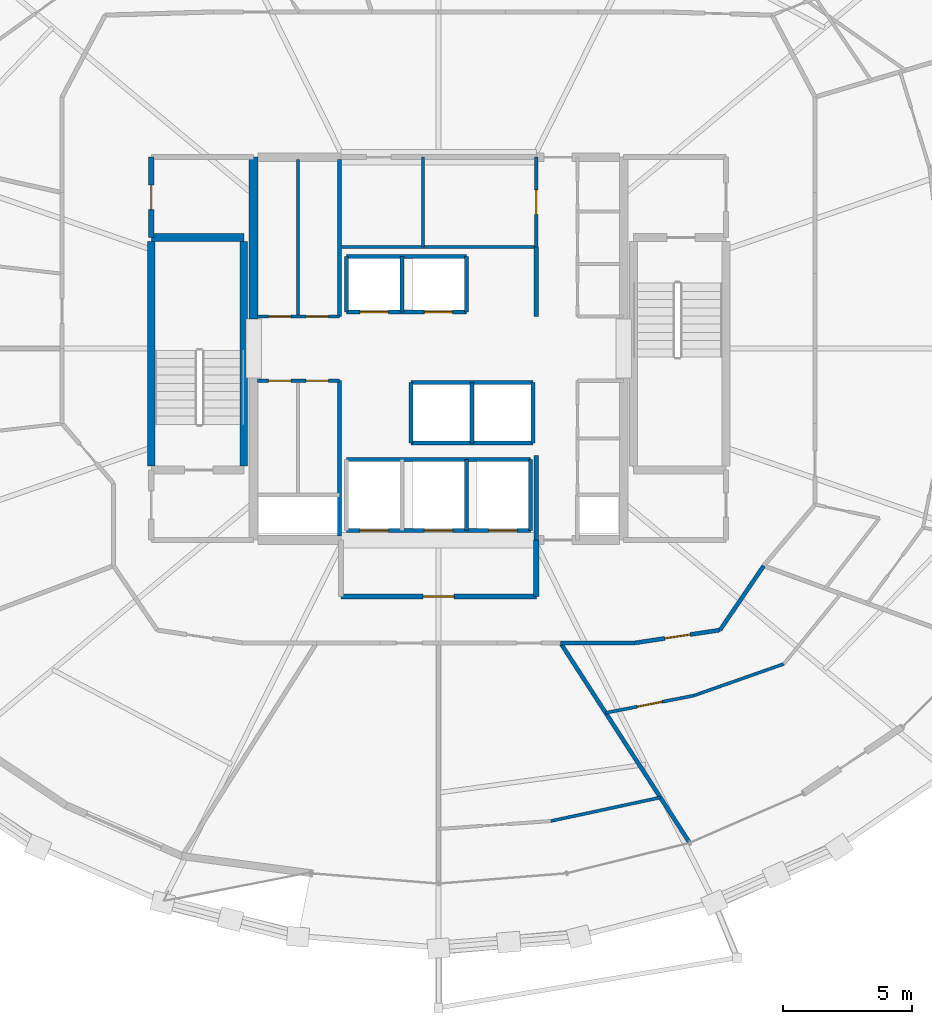
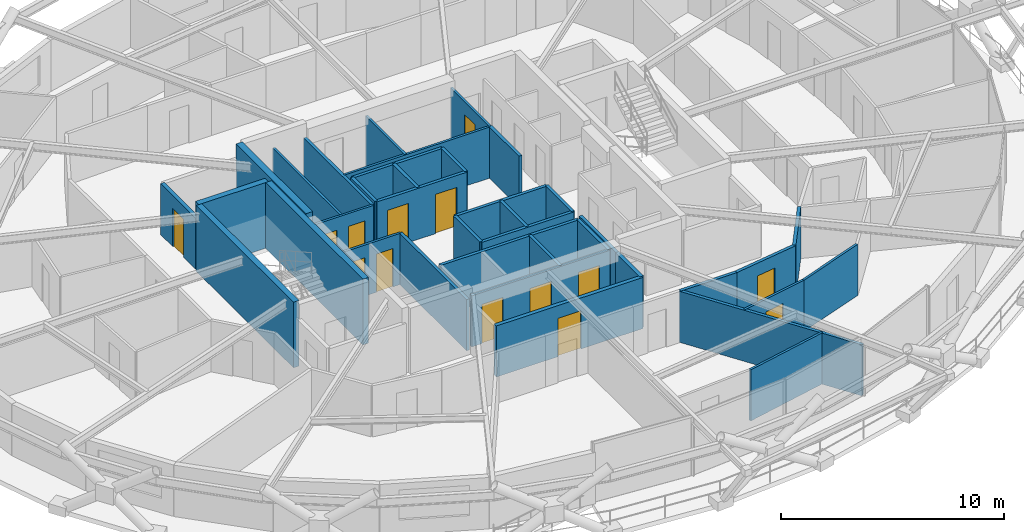
# One storey, part 15 of 20: 38 walls, 14 doors, 14 openings.
"""IFC4 building model written with IfcOpenShell, lengths in metres."""

from ifc_helpers import new_model, si_unit, direction, frame, frame_2d, origin, place, context, subcontext, project, spatial, rectangle, extrude, material, layer, layer_set, type_object, element, fill, save


model = new_model("IFC4")

# Units and contexts
model_context = context("Model", 3, precision=1e-05, world=origin(), true_north=direction((0.0, 1.0)))
body_context = subcontext(model_context, "Body", "Model", "MODEL_VIEW")
ifc_project = project(units=[si_unit("LENGTHUNIT", "METRE"), si_unit("AREAUNIT", "SQUARE_METRE"), si_unit("VOLUMEUNIT", "CUBIC_METRE"), si_unit("PLANEANGLEUNIT", "RADIAN"), si_unit("MASSUNIT", "GRAM", prefix="KILO")], contexts=[model_context])

# Site, building, storey
site_placement = place(None, origin())
site = spatial("IfcSite", under=ifc_project, at=site_placement, CompositionType="ELEMENT")
building_placement = place(site_placement, origin())
building = spatial("IfcBuilding", under=site, at=building_placement, Name="Veldorina Hangang Commons", CompositionType="ELEMENT")
storey_placement = place(building_placement, frame((0.0, 0.0, 171.199951171875)))
storey = spatial("IfcBuildingStorey", under=building, at=storey_placement, Name="L44", CompositionType="ELEMENT", Elevation=171.199951171875)

# Walls
ifc_material_1 = material(Name="Concrete C60/75", Category="concrete")
ifc_layer_1 = layer(ifc_material_1, 0.340087890625)
ifc_layer_set_1 = layer_set([ifc_layer_1], Name="Concrete C60/75")
wall_type_1 = type_object("IfcWallType", Name="CW-RC340-C60", PredefinedType="SHEAR", material=ifc_layer_set_1)
wall_1_placement = place(storey_placement, frame((24.800048828125, 25.14990234375, 0.0), z_axis=(0.0, 0.0, 1.0), x_axis=(0.0, 1.0, 0.0)))
element("IfcWall", 1, at=wall_1_placement, inside=storey, type_object=wall_type_1, Name="L44 W north core shear wall", PredefinedType="SHEAR", context=body_context, shape_type="SweptSolid", body=[
    extrude(rectangle(XDim=6.300048828125, YDim=0.340087890625, at=frame_2d((3.14990234375, 0.0))), origin(), (0.0, 0.0, 1.0), 3.60009765625),
])
ifc_material_2 = material(Name="Concrete C50/60", Category="concrete")
ifc_layer_2 = layer(ifc_material_2, 0.300048828125)
ifc_layer_set_2 = layer_set([ifc_layer_2], Name="Concrete C50/60")
wall_type_2 = type_object("IfcWallType", Name="SW-STAIR-300", PredefinedType="SHEAR", material=ifc_layer_set_2)
for number, where, z_axis, x_axis, name in (
    (2, (20.820068359375, 19.429931640625, 0.0), (0.0, 0.0, 1.0), (0.0, 1.0, 0.0), "L44 ST1 outer stair shear wall"),
    (3, (24.419921875, 19.429931640625, 0.0), (0.0, 0.0, 1.0), (0.0, 1.0, 0.0), "L44 ST1 inner stair shear wall"),
):
    element("IfcWall", number, at=place(storey_placement, frame(where, z_axis=z_axis, x_axis=x_axis)), inside=storey, type_object=wall_type_2, Name=name, PredefinedType="SHEAR", context=body_context, shape_type="SweptSolid", body=[
        extrude(rectangle(XDim=8.739990234375, YDim=0.300048828125, at=frame_2d((4.3701171875, 0.0))), origin(), (0.0, 0.0, 1.0), 3.60009765625),
    ])
wall_2_placement = place(storey_placement, frame((20.820068359375, 28.320068359375, 0.0), z_axis=(0.0, 0.0, 1.0), x_axis=(1.0, 0.0, 0.0)))
element("IfcWall", 4, at=wall_2_placement, inside=storey, type_object=wall_type_2, Name="L44 ST1 north stair shear wall", PredefinedType="SHEAR", context=body_context, shape_type="SweptSolid", body=[
    extrude(rectangle(XDim=3.599853515625, YDim=0.300048828125, at=frame_2d((1.7998046875, 0.0))), origin(), (0.0, 0.0, 1.0), 3.60009765625),
])
ifc_material_3 = material(Name="Gypsum Fire-Rated Twin Stud Wall", Category="gypsum")
ifc_layer_3 = layer(ifc_material_3, 0.159912109375)
ifc_layer_set_3 = layer_set([ifc_layer_3], Name="Gypsum Fire-Rated Twin Stud Wall")
wall_type_3 = type_object("IfcWallType", Name="WL-FIRE-160", PredefinedType="SOLIDWALL", material=ifc_layer_set_3)
wall_3_placement = place(storey_placement, frame((35.800048828125, 16.550048828125, 0.0), z_axis=(0.0, 0.0, 1.0), x_axis=(0.0, 1.0, 0.0)))
element("IfcWall", 5, at=wall_3_placement, inside=storey, type_object=wall_type_3, Name="L44 Lift passage SW wall 009", PredefinedType="SOLIDWALL", context=body_context, shape_type="SweptSolid", body=[
    extrude(rectangle(XDim=3.300048828125, YDim=0.159912109375, at=frame_2d((1.64990234375, 0.0))), origin(), (0.0, 0.0, 1.0), 2.800048828125),
])
wall_4_placement = place(storey_placement, frame((35.800048828125, 25.25, 0.0), z_axis=(0.0, 0.0, 1.0), x_axis=(0.0, 1.0, 0.0)))
element("IfcWall", 6, at=wall_4_placement, inside=storey, type_object=wall_type_3, Name="L44 Lift passage NW lower wall 011", PredefinedType="SOLIDWALL", context=body_context, shape_type="SweptSolid", body=[
    extrude(rectangle(XDim=2.699951171875, YDim=0.159912109375, at=frame_2d((1.35009765625, 0.0))), origin(), (0.0, 0.0, 1.0), 2.800048828125),
])

# Wall, openings, doors
wall_5_placement = place(storey_placement, frame((28.419921875, 25.419921875, 0.0), z_axis=(0.0, 0.0, 1.0), x_axis=(1.0, 0.0, 0.0)))
wall_5 = element("IfcWall", 7, at=wall_5_placement, inside=storey, type_object=wall_type_3, Name="L44 Mid-high front shaft wall 015", PredefinedType="SOLIDWALL", context=body_context, shape_type="SweptSolid", body=[
    extrude(rectangle(XDim=4.66015625, YDim=0.159912109375, at=frame_2d((2.330078125, 0.0))), origin(), (0.0, 0.0, 1.0), 2.800048828125),
])
opening_1_placement = place(wall_5_placement, frame((0.530029296875, 0.0, 0.0)))
opening_1 = element("IfcOpeningElement", 8, at=opening_1_placement, cuts=wall_5, Name="Opening LD-01", PredefinedType="OPENING", context=body_context, shape_type="SweptSolid", body=[
    extrude(rectangle(XDim=1.10009765625, YDim=2.14990234375, at=frame_2d((0.550048828125, 1.074951171875))), frame((0.0, 0.08984375, 0.0), z_axis=(0.0, -1.0, 0.0), x_axis=(1.0, 0.0, 0.0)), (0.0, 0.0, 1.0), 0.179931640625),
])
opening_2_placement = place(wall_5_placement, frame((3.030029296875, 0.0, 0.0)))
opening_2 = element("IfcOpeningElement", 9, at=opening_2_placement, cuts=wall_5, Name="Opening LD-01", PredefinedType="OPENING", context=body_context, shape_type="SweptSolid", body=[
    extrude(rectangle(XDim=1.10009765625, YDim=2.14990234375, at=frame_2d((0.550048828125, 1.074951171875))), frame((0.0, 0.08984375, 0.0), z_axis=(0.0, -1.0, 0.0), x_axis=(1.0, 0.0, 0.0)), (0.0, 0.0, 1.0), 0.179931640625),
])
ifc_material_4 = material(Name="Stainless Steel Brushed Lift Door", Category="steel")
door_type_1 = type_object("IfcDoorType", Name="DR-LIFT-1100", OperationType="SLIDING_TO_LEFT", PredefinedType="DOOR", material=ifc_material_4)
door_1_placement = place(opening_1_placement, origin())
door_1 = element("IfcDoor", 10, at=door_1_placement, inside=storey, type_object=door_type_1, Name="L44 Lift PL-M1 landing door 006", OperationType="SLIDING_TO_RIGHT", OverallHeight=2.14990234375, OverallWidth=1.10009765625, PredefinedType="DOOR", context=body_context, shape_type="SweptSolid", body=[
    extrude(rectangle(XDim=1.10009765625, YDim=2.14990234375, at=frame_2d((0.550048828125, 1.074951171875))), frame((0.0, 0.02490234375, 0.0), z_axis=(0.0, -1.0, 0.0), x_axis=(1.0, 0.0, 0.0)), (0.0, 0.0, 1.0), 0.050048828125),
])
fill(opening_1, door_1)
door_2_placement = place(opening_2_placement, origin())
door_2 = element("IfcDoor", 11, at=door_2_placement, inside=storey, type_object=door_type_1, Name="L44 Lift PL-M2 landing door 007", OperationType="SLIDING_TO_RIGHT", OverallHeight=2.14990234375, OverallWidth=1.10009765625, PredefinedType="DOOR", context=body_context, shape_type="SweptSolid", body=[
    extrude(rectangle(XDim=1.10009765625, YDim=2.14990234375, at=frame_2d((0.550048828125, 1.074951171875))), frame((0.0, 0.02490234375, 0.0), z_axis=(0.0, -1.0, 0.0), x_axis=(1.0, 0.0, 0.0)), (0.0, 0.0, 1.0), 0.050048828125),
])
fill(opening_2, door_2)

# Walls
wall_6_placement = place(storey_placement, frame((28.419921875, 27.580078125, 0.0), z_axis=(0.0, 0.0, 1.0), x_axis=(1.0, 0.0, 0.0)))
element("IfcWall", 12, at=wall_6_placement, inside=storey, type_object=wall_type_3, Name="L44 Mid-high rear shaft wall 016", PredefinedType="SOLIDWALL", context=body_context, shape_type="SweptSolid", body=[
    extrude(rectangle(XDim=4.66015625, YDim=0.159912109375, at=frame_2d((2.330078125, 0.0))), origin(), (0.0, 0.0, 1.0), 2.800048828125),
])
for number, where, z_axis, x_axis, name in (
    (13, (28.419921875, 25.419921875, 0.0), (0.0, 0.0, 1.0), (0.0, 1.0, 0.0), "L44 PL-M1 west shaft wall 017"),
    (14, (30.580078125, 25.419921875, 0.0), (0.0, 0.0, 1.0), (0.0, 1.0, 0.0), "L44 PL-M1 east shaft wall 018"),
    (15, (33.080078125, 25.419921875, 0.0), (0.0, 0.0, 1.0), (0.0, 1.0, 0.0), "L44 PL-M2 east shaft wall 019"),
):
    element("IfcWall", number, at=place(storey_placement, frame(where, z_axis=z_axis, x_axis=x_axis)), inside=storey, type_object=wall_type_3, Name=name, PredefinedType="SOLIDWALL", context=body_context, shape_type="SweptSolid", body=[
        extrude(rectangle(XDim=2.16015625, YDim=0.159912109375, at=frame_2d((1.080078125, 0.0))), origin(), (0.0, 0.0, 1.0), 2.800048828125),
    ])
for number, where, z_axis, x_axis, name in (
    (16, (30.919921875, 22.679931640625, 0.0), (0.0, 0.0, 1.0), (1.0, 0.0, 0.0), "L44 Shuttle-high front shaft wall 020"),
    (17, (30.919921875, 20.320068359375, 0.0), (0.0, 0.0, 1.0), (1.0, 0.0, 0.0), "L44 Shuttle-high rear shaft wall 021"),
):
    element("IfcWall", number, at=place(storey_placement, frame(where, z_axis=z_axis, x_axis=x_axis)), inside=storey, type_object=wall_type_3, Name=name, PredefinedType="SOLIDWALL", context=body_context, shape_type="SweptSolid", body=[
        extrude(rectangle(XDim=4.760009765625, YDim=0.159912109375, at=frame_2d((2.3798828125, 0.0))), origin(), (0.0, 0.0, 1.0), 2.800048828125),
    ])
for number, where, z_axis, x_axis, name in (
    (18, (30.919921875, 20.320068359375, 0.0), (0.0, 0.0, 1.0), (0.0, 1.0, 0.0), "L44 SL-1 west shaft wall 022"),
    (19, (33.300048828125, 20.320068359375, 0.0), (0.0, 0.0, 1.0), (0.0, 1.0, 0.0), "L44 SL-1 east shaft wall 023"),
    (20, (35.679931640625, 20.320068359375, 0.0), (0.0, 0.0, 1.0), (0.0, 1.0, 0.0), "L44 SL-2 east shaft wall 024"),
):
    element("IfcWall", number, at=place(storey_placement, frame(where, z_axis=z_axis, x_axis=x_axis)), inside=storey, type_object=wall_type_3, Name=name, PredefinedType="SOLIDWALL", context=body_context, shape_type="SweptSolid", body=[
        extrude(rectangle(XDim=2.35986328125, YDim=0.159912109375, at=frame_2d((1.179931640625, 0.0))), origin(), (0.0, 0.0, 1.0), 2.800048828125),
    ])

# Wall, openings, doors
wall_7_placement = place(storey_placement, frame((28.419921875, 16.919921875, 0.0), z_axis=(0.0, 0.0, 1.0), x_axis=(1.0, 0.0, 0.0)))
wall_7 = element("IfcWall", 21, at=wall_7_placement, inside=storey, type_object=wall_type_3, Name="L44 Emergency front shaft wall 025", PredefinedType="SOLIDWALL", context=body_context, shape_type="SweptSolid", body=[
    extrude(rectangle(XDim=7.16015625, YDim=0.159912109375, at=frame_2d((3.580078125, 0.0))), origin(), (0.0, 0.0, 1.0), 2.800048828125),
])
opening_3_placement = place(wall_7_placement, frame((0.530029296875, 0.0, 0.0)))
opening_3 = element("IfcOpeningElement", 22, at=opening_3_placement, cuts=wall_7, Name="Opening LD-03", PredefinedType="OPENING", context=body_context, shape_type="SweptSolid", body=[
    extrude(rectangle(XDim=1.10009765625, YDim=2.14990234375, at=frame_2d((0.550048828125, 1.074951171875))), frame((0.0, 0.08984375, 0.0), z_axis=(0.0, -1.0, 0.0), x_axis=(1.0, 0.0, 0.0)), (0.0, 0.0, 1.0), 0.179931640625),
])
opening_4_placement = place(wall_7_placement, frame((3.030029296875, 0.0, 0.0)))
opening_4 = element("IfcOpeningElement", 23, at=opening_4_placement, cuts=wall_7, Name="Opening LD-03", PredefinedType="OPENING", context=body_context, shape_type="SweptSolid", body=[
    extrude(rectangle(XDim=1.10009765625, YDim=2.14990234375, at=frame_2d((0.550048828125, 1.074951171875))), frame((0.0, 0.08984375, 0.0), z_axis=(0.0, -1.0, 0.0), x_axis=(1.0, 0.0, 0.0)), (0.0, 0.0, 1.0), 0.179931640625),
])
opening_5_placement = place(wall_7_placement, frame((5.530029296875, 0.0, 0.0)))
opening_5 = element("IfcOpeningElement", 24, at=opening_5_placement, cuts=wall_7, Name="Opening LD-03", PredefinedType="OPENING", context=body_context, shape_type="SweptSolid", body=[
    extrude(rectangle(XDim=1.10009765625, YDim=2.14990234375, at=frame_2d((0.550048828125, 1.074951171875))), frame((0.0, 0.08984375, 0.0), z_axis=(0.0, -1.0, 0.0), x_axis=(1.0, 0.0, 0.0)), (0.0, 0.0, 1.0), 0.179931640625),
])
ifc_material_5 = material(Name="Stainless Steel Firefighting Lift Door", Category="steel")
door_type_2 = type_object("IfcDoorType", Name="DR-LIFT-FF1100", OperationType="SLIDING_TO_RIGHT", PredefinedType="DOOR", material=ifc_material_5)
door_3_placement = place(opening_3_placement, origin())
door_3 = element("IfcDoor", 25, at=door_3_placement, inside=storey, type_object=door_type_2, Name="L44 Emergency lift FFL-1 landing door 008", OperationType="SLIDING_TO_RIGHT", OverallHeight=2.14990234375, OverallWidth=1.10009765625, PredefinedType="DOOR", context=body_context, shape_type="SweptSolid", body=[
    extrude(rectangle(XDim=1.10009765625, YDim=2.14990234375, at=frame_2d((0.550048828125, 1.074951171875))), frame((0.0, 0.02490234375, 0.0), z_axis=(0.0, -1.0, 0.0), x_axis=(1.0, 0.0, 0.0)), (0.0, 0.0, 1.0), 0.050048828125),
])
fill(opening_3, door_3)
door_4_placement = place(opening_4_placement, origin())
door_4 = element("IfcDoor", 26, at=door_4_placement, inside=storey, type_object=door_type_2, Name="L44 Emergency lift FFL-2 landing door 009", OperationType="SLIDING_TO_RIGHT", OverallHeight=2.14990234375, OverallWidth=1.10009765625, PredefinedType="DOOR", context=body_context, shape_type="SweptSolid", body=[
    extrude(rectangle(XDim=1.10009765625, YDim=2.14990234375, at=frame_2d((0.550048828125, 1.074951171875))), frame((0.0, 0.02490234375, 0.0), z_axis=(0.0, -1.0, 0.0), x_axis=(1.0, 0.0, 0.0)), (0.0, 0.0, 1.0), 0.050048828125),
])
fill(opening_4, door_4)
door_5_placement = place(opening_5_placement, origin())
door_5 = element("IfcDoor", 27, at=door_5_placement, inside=storey, type_object=door_type_2, Name="L44 Emergency lift EVL-1 landing door 010", OperationType="SLIDING_TO_RIGHT", OverallHeight=2.14990234375, OverallWidth=1.10009765625, PredefinedType="DOOR", context=body_context, shape_type="SweptSolid", body=[
    extrude(rectangle(XDim=1.10009765625, YDim=2.14990234375, at=frame_2d((0.550048828125, 1.074951171875))), frame((0.0, 0.02490234375, 0.0), z_axis=(0.0, -1.0, 0.0), x_axis=(1.0, 0.0, 0.0)), (0.0, 0.0, 1.0), 0.050048828125),
])
fill(opening_5, door_5)

# Walls
wall_8_placement = place(storey_placement, frame((28.419921875, 19.679931640625, 0.0), z_axis=(0.0, 0.0, 1.0), x_axis=(1.0, 0.0, 0.0)))
element("IfcWall", 28, at=wall_8_placement, inside=storey, type_object=wall_type_3, Name="L44 Emergency rear shaft wall 026", PredefinedType="SOLIDWALL", context=body_context, shape_type="SweptSolid", body=[
    extrude(rectangle(XDim=7.16015625, YDim=0.159912109375, at=frame_2d((3.580078125, 0.0))), origin(), (0.0, 0.0, 1.0), 2.800048828125),
])
for number, where, z_axis, x_axis, name in (
    (29, (33.080078125, 16.919921875, 0.0), (0.0, 0.0, 1.0), (0.0, 1.0, 0.0), "L44 FFL-2 east shaft wall 029"),
    (30, (35.580078125, 16.919921875, 0.0), (0.0, 0.0, 1.0), (0.0, 1.0, 0.0), "L44 EVL-1 east shaft wall 030"),
):
    element("IfcWall", number, at=place(storey_placement, frame(where, z_axis=z_axis, x_axis=x_axis)), inside=storey, type_object=wall_type_3, Name=name, PredefinedType="SOLIDWALL", context=body_context, shape_type="SweptSolid", body=[
        extrude(rectangle(XDim=2.760009765625, YDim=0.159912109375, at=frame_2d((1.3798828125, 0.0))), origin(), (0.0, 0.0, 1.0), 2.800048828125),
    ])
wall_9_placement = place(storey_placement, frame((28.14990234375, 16.699951171875, 0.0), z_axis=(0.0, 0.0, 1.0), x_axis=(0.0, 1.0, 0.0)))
element("IfcWall", 31, at=wall_9_placement, inside=storey, type_object=wall_type_3, Name="L44 SW core inner wall 036", PredefinedType="SOLIDWALL", context=body_context, shape_type="SweptSolid", body=[
    extrude(rectangle(XDim=6.050048828125, YDim=0.159912109375, at=frame_2d((3.02490234375, 0.0))), origin(), (0.0, 0.0, 1.0), 2.800048828125),
])
wall_10_placement = place(storey_placement, frame((28.14990234375, 25.25, 0.0), z_axis=(0.0, 0.0, 1.0), x_axis=(0.0, 1.0, 0.0)))
element("IfcWall", 32, at=wall_10_placement, inside=storey, type_object=wall_type_3, Name="L44 NW core inner wall 038", PredefinedType="SOLIDWALL", context=body_context, shape_type="SweptSolid", body=[
    extrude(rectangle(XDim=6.10009765625, YDim=0.159912109375, at=frame_2d((3.050048828125, 0.0))), origin(), (0.0, 0.0, 1.0), 2.800048828125),
])
wall_11_placement = place(storey_placement, frame((36.74267578125, 12.550048828125, 0.0), z_axis=(0.0, 0.0, 1.0), x_axis=(1.0, 0.0, 0.0)))
element("IfcWall", 33, at=wall_11_placement, inside=storey, type_object=wall_type_3, Name="L44 U-corridor outer wall 26 076", PredefinedType="SOLIDWALL", context=body_context, shape_type="SweptSolid", body=[
    extrude(rectangle(XDim=2.907958984375, YDim=0.159912109375, at=frame_2d((1.4541015625, 0.0))), origin(), (0.0, 0.0, 1.0), 2.800048828125),
])

# Wall, opening, door
wall_12_placement = place(storey_placement, frame((39.650634765625, 12.550048828125, 0.0), z_axis=(0.0, 0.0, 1.0), x_axis=(0.988710906508, 0.149835721217, 0.0)))
wall_12 = element("IfcWall", 34, at=wall_12_placement, inside=storey, type_object=wall_type_3, Name="L44 U-corridor outer wall 27 077", PredefinedType="SOLIDWALL", context=body_context, shape_type="SweptSolid", body=[
    extrude(rectangle(XDim=3.3369140625, YDim=0.159912109375, at=frame_2d((1.66845703125, 0.0))), origin(), (0.0, 0.0, 1.0), 2.800048828125),
])
opening_6_placement = place(wall_12_placement, frame((1.16845703125, 0.0, 0.0)))
opening_6 = element("IfcOpeningElement", 35, at=opening_6_placement, cuts=wall_12, Name="Opening D-05", PredefinedType="OPENING", context=body_context, shape_type="SweptSolid", body=[
    extrude(rectangle(XDim=1.0, YDim=2.10009765625, at=frame_2d((0.5, 1.050048828125))), frame((0.0, 0.08984375, 0.0), z_axis=(0.0, -1.0, 0.0), x_axis=(1.0, 0.0, 0.0)), (0.0, 0.0, 1.0), 0.179931640625),
])
ifc_material_6 = material(Name="Timber Solid Core Acoustic", Category="wood")
door_type_3 = type_object("IfcDoorType", Name="DR-INT-1000", OperationType="SINGLE_SWING_RIGHT", PredefinedType="DOOR", material=ifc_material_6)
door_6_placement = place(opening_6_placement, origin())
door_6 = element("IfcDoor", 36, at=door_6_placement, inside=storey, type_object=door_type_3, Name="L44 Commons alcove door 022", OperationType="SINGLE_SWING_RIGHT", OverallHeight=2.10009765625, OverallWidth=1.0, PredefinedType="DOOR", context=body_context, shape_type="SweptSolid", body=[
    extrude(rectangle(XDim=1.0, YDim=2.10009765625, at=frame_2d((0.5, 1.050048828125))), frame((0.0, 0.02490234375, 0.0), z_axis=(0.0, -1.0, 0.0), x_axis=(1.0, 0.0, 0.0)), (0.0, 0.0, 1.0), 0.050048828125),
])
fill(opening_6, door_6)

# Walls
wall_13_placement = place(storey_placement, frame((42.949951171875, 13.050048828125, 0.0), z_axis=(0.0, 0.0, 1.0), x_axis=(0.562674669208, 0.826678423955, 0.0)))
element("IfcWall", 37, at=wall_13_placement, inside=storey, type_object=wall_type_3, Name="L44 U-corridor outer wall 28 078", PredefinedType="SOLIDWALL", context=body_context, shape_type="SweptSolid", body=[
    extrude(rectangle(XDim=3.021240234375, YDim=0.159912109375, at=frame_2d((1.5107421875, 0.0))), origin(), (0.0, 0.0, 1.0), 2.800048828125),
])
wall_14_placement = place(storey_placement, frame((36.74267578125, 12.550048828125, 0.0), z_axis=(0.0, 0.0, 1.0), x_axis=(0.542698414849, -0.839927634097, 0.0)))
element("IfcWall", 38, at=wall_14_placement, inside=storey, type_object=wall_type_3, Name="L44 Unit party wall 26 082", PredefinedType="SOLIDWALL", context=body_context, shape_type="SweptSolid", body=[
    extrude(rectangle(XDim=9.2119140625, YDim=0.159912109375, at=frame_2d((4.60595703125, 0.0))), origin(), (0.0, 0.0, 1.0), 2.800048828125),
])

# Wall, opening, door
ifc_material_7 = material(Name="Concrete Blockwork Fire Wall C30/37", Category="masonry")
ifc_layer_4 = layer(ifc_material_7, 0.199951171875)
ifc_layer_set_4 = layer_set([ifc_layer_4], Name="Concrete Blockwork Fire Wall C30/37")
wall_type_4 = type_object("IfcWallType", Name="WL-FIRE-200", PredefinedType="SOLIDWALL", material=ifc_layer_set_4)
wall_15_placement = place(storey_placement, frame((20.820068359375, 28.320068359375, 0.0), z_axis=(0.0, 0.0, 1.0), x_axis=(0.0, 1.0, 0.0)))
wall_15 = element("IfcWall", 39, at=wall_15_placement, inside=storey, type_object=wall_type_4, Name="L44 NW core room outer wall 005", PredefinedType="SOLIDWALL", context=body_context, shape_type="SweptSolid", body=[
    extrude(rectangle(XDim=3.1298828125, YDim=0.199951171875, at=frame_2d((1.56494140625, 0.0))), origin(), (0.0, 0.0, 1.0), 2.800048828125),
])
opening_7_placement = place(wall_15_placement, frame((1.090087890625, 0.0, 0.0)))
opening_7 = element("IfcOpeningElement", 40, at=opening_7_placement, cuts=wall_15, Name="Opening D-04", PredefinedType="OPENING", context=body_context, shape_type="SweptSolid", body=[
    extrude(rectangle(XDim=0.949951171875, YDim=2.10009765625, at=frame_2d((0.47509765625, 1.050048828125))), frame((0.0, 0.10986328125, 0.0), z_axis=(0.0, -1.0, 0.0), x_axis=(1.0, 0.0, 0.0)), (0.0, 0.0, 1.0), 0.219970703125),
])
ifc_material_8 = material(Name="Timber Accessible Flush Leaf", Category="wood")
door_type_4 = type_object("IfcDoorType", Name="DR-ACC-950", OperationType="SINGLE_SWING_LEFT", PredefinedType="DOOR", material=ifc_material_8)
door_7_placement = place(opening_7_placement, origin())
door_7 = element("IfcDoor", 41, at=door_7_placement, inside=storey, type_object=door_type_4, Name="L44 NW core WC door 003", OperationType="SINGLE_SWING_LEFT", OverallHeight=2.10009765625, OverallWidth=0.949951171875, PredefinedType="DOOR", context=body_context, shape_type="SweptSolid", body=[
    extrude(rectangle(XDim=0.949951171875, YDim=2.10009765625, at=frame_2d((0.47509765625, 1.050048828125))), frame((0.0, 0.02490234375, 0.0), z_axis=(0.0, -1.0, 0.0), x_axis=(1.0, 0.0, 0.0)), (0.0, 0.0, 1.0), 0.050048828125),
])
fill(opening_7, door_7)

# Wall
wall_16_placement = place(storey_placement, frame((35.800048828125, 14.35009765625, 0.0), z_axis=(0.0, 0.0, 1.0), x_axis=(0.0, 1.0, 0.0)))
element("IfcWall", 42, at=wall_16_placement, inside=storey, type_object=wall_type_4, Name="L44 FF lobby east wall 013", PredefinedType="SOLIDWALL", context=body_context, shape_type="SweptSolid", body=[
    extrude(rectangle(XDim=2.199951171875, YDim=0.199951171875, at=frame_2d((1.10009765625, 0.0))), origin(), (0.0, 0.0, 1.0), 2.800048828125),
])

# Wall, opening, door
wall_17_placement = place(storey_placement, frame((28.199951171875, 14.35009765625, 0.0), z_axis=(0.0, 0.0, 1.0), x_axis=(1.0, 0.0, 0.0)))
wall_17 = element("IfcWall", 43, at=wall_17_placement, inside=storey, type_object=wall_type_4, Name="L44 FF lobby south wall 014", PredefinedType="SOLIDWALL", context=body_context, shape_type="SweptSolid", body=[
    extrude(rectangle(XDim=7.60009765625, YDim=0.199951171875, at=frame_2d((3.800048828125, 0.0))), origin(), (0.0, 0.0, 1.0), 2.800048828125),
])
opening_8_placement = place(wall_17_placement, frame((3.199951171875, 0.0, 0.0)))
opening_8 = element("IfcOpeningElement", 44, at=opening_8_placement, cuts=wall_17, Name="Opening D-09", PredefinedType="OPENING", context=body_context, shape_type="SweptSolid", body=[
    extrude(rectangle(XDim=1.199951171875, YDim=2.10009765625, at=frame_2d((0.60009765625, 1.050048828125))), frame((0.0, 0.10986328125, 0.0), z_axis=(0.0, -1.0, 0.0), x_axis=(1.0, 0.0, 0.0)), (0.0, 0.0, 1.0), 0.219970703125),
])
ifc_material_9 = material(Name="Steel Fire-Rated Corridor Door", Category="steel")
door_type_5 = type_object("IfcDoorType", Name="DR-FIRE-1200", OperationType="SINGLE_SWING_LEFT", PredefinedType="DOOR", material=ifc_material_9)
door_8_placement = place(opening_8_placement, origin())
door_8 = element("IfcDoor", 45, at=door_8_placement, inside=storey, type_object=door_type_5, Name="L44 FF lobby south corridor door 005", OperationType="SINGLE_SWING_LEFT", OverallHeight=2.10009765625, OverallWidth=1.199951171875, PredefinedType="DOOR", context=body_context, shape_type="SweptSolid", body=[
    extrude(rectangle(XDim=1.199951171875, YDim=2.10009765625, at=frame_2d((0.60009765625, 1.050048828125))), frame((0.0, 0.02490234375, 0.0), z_axis=(0.0, -1.0, 0.0), x_axis=(1.0, 0.0, 0.0)), (0.0, 0.0, 1.0), 0.050048828125),
])
fill(opening_8, door_8)

# Wall
ifc_material_10 = material(Name="Gypsum Acoustic Stud Partition", Category="gypsum")
ifc_layer_5 = layer(ifc_material_10, 0.1201171875)
ifc_layer_set_5 = layer_set([ifc_layer_5], Name="Gypsum Acoustic Stud Partition")
wall_type_5 = type_object("IfcWallType", Name="WL-PART-120", PredefinedType="PARTITIONING", material=ifc_layer_set_5)
wall_18_placement = place(storey_placement, frame((28.199951171875, 27.949951171875, 0.0), z_axis=(0.0, 0.0, 1.0), x_axis=(1.0, 0.0, 0.0)))
element("IfcWall", 46, at=wall_18_placement, inside=storey, type_object=wall_type_5, Name="L44 Merged north south wall 032", PredefinedType="PARTITIONING", context=body_context, shape_type="SweptSolid", body=[
    extrude(rectangle(XDim=7.60009765625, YDim=0.1201171875, at=frame_2d((3.800048828125, 0.0))), origin(), (0.0, 0.0, 1.0), 2.800048828125),
])

# Wall, opening, door
wall_19_placement = place(storey_placement, frame((35.800048828125, 27.949951171875, 0.0), z_axis=(0.0, 0.0, 1.0), x_axis=(0.0, 1.0, 0.0)))
wall_19 = element("IfcWall", 47, at=wall_19_placement, inside=storey, type_object=wall_type_5, Name="L44 Merged north east wall 033", PredefinedType="PARTITIONING", context=body_context, shape_type="SweptSolid", body=[
    extrude(rectangle(XDim=3.5, YDim=0.1201171875, at=frame_2d((1.75, 0.0))), origin(), (0.0, 0.0, 1.0), 2.800048828125),
])
opening_9_placement = place(wall_19_placement, frame((1.27490234375, 0.0, 0.0)))
opening_9 = element("IfcOpeningElement", 48, at=opening_9_placement, cuts=wall_19, Name="Opening D-02", PredefinedType="OPENING", context=body_context, shape_type="SweptSolid", body=[
    extrude(rectangle(XDim=0.949951171875, YDim=2.10009765625, at=frame_2d((0.47509765625, 1.050048828125))), frame((0.0, 0.070068359375, 0.0), z_axis=(0.0, -1.0, 0.0), x_axis=(1.0, 0.0, 0.0)), (0.0, 0.0, 1.0), 0.14013671875),
])
door_type_6 = type_object("IfcDoorType", Name="DR-INT-950", OperationType="SINGLE_SWING_LEFT", PredefinedType="DOOR", material=ifc_material_6)
door_9_placement = place(opening_9_placement, origin())
door_9 = element("IfcDoor", 49, at=door_9_placement, inside=storey, type_object=door_type_6, Name="L44 Core linen store door 012", OperationType="SINGLE_SWING_RIGHT", OverallHeight=2.10009765625, OverallWidth=0.949951171875, PredefinedType="DOOR", context=body_context, shape_type="SweptSolid", body=[
    extrude(rectangle(XDim=0.949951171875, YDim=2.10009765625, at=frame_2d((0.47509765625, 1.050048828125))), frame((0.0, 0.02490234375, 0.0), z_axis=(0.0, -1.0, 0.0), x_axis=(1.0, 0.0, 0.0)), (0.0, 0.0, 1.0), 0.050048828125),
])
fill(opening_9, door_9)

# Wall
wall_20_placement = place(storey_placement, frame((31.39990234375, 27.949951171875, 0.0), z_axis=(0.0, 0.0, 1.0), x_axis=(0.0, 1.0, 0.0)))
element("IfcWall", 50, at=wall_20_placement, inside=storey, type_object=wall_type_5, Name="L44 Merged north split wall 034", PredefinedType="PARTITIONING", context=body_context, shape_type="SweptSolid", body=[
    extrude(rectangle(XDim=3.5, YDim=0.1201171875, at=frame_2d((1.75, 0.0))), origin(), (0.0, 0.0, 1.0), 2.800048828125),
])

# Wall, openings, doors
wall_21_placement = place(storey_placement, frame((24.949951171875, 25.25, 0.0), z_axis=(0.0, 0.0, 1.0), x_axis=(1.0, 0.0, 0.0)))
wall_21 = element("IfcWall", 51, at=wall_21_placement, inside=storey, type_object=wall_type_5, Name="L44 NW service south wall 039", PredefinedType="PARTITIONING", context=body_context, shape_type="SweptSolid", body=[
    extrude(rectangle(XDim=3.199951171875, YDim=0.1201171875, at=frame_2d((1.60009765625, 0.0))), origin(), (0.0, 0.0, 1.0), 2.800048828125),
])
opening_10_placement = place(wall_21_placement, frame((0.43994140625, 0.0, 0.0)))
opening_10 = element("IfcOpeningElement", 52, at=opening_10_placement, cuts=wall_21, Name="Opening D-01", PredefinedType="OPENING", context=body_context, shape_type="SweptSolid", body=[
    extrude(rectangle(XDim=0.860107421875, YDim=2.10009765625, at=frame_2d((0.43017578125, 1.050048828125))), frame((0.0, 0.070068359375, 0.0), z_axis=(0.0, -1.0, 0.0), x_axis=(1.0, 0.0, 0.0)), (0.0, 0.0, 1.0), 0.14013671875),
])
opening_11_placement = place(wall_21_placement, frame((1.89990234375, 0.0, 0.0)))
opening_11 = element("IfcOpeningElement", 53, at=opening_11_placement, cuts=wall_21, Name="Opening D-01", PredefinedType="OPENING", context=body_context, shape_type="SweptSolid", body=[
    extrude(rectangle(XDim=0.860107421875, YDim=2.10009765625, at=frame_2d((0.43017578125, 1.050048828125))), frame((0.0, 0.070068359375, 0.0), z_axis=(0.0, -1.0, 0.0), x_axis=(1.0, 0.0, 0.0)), (0.0, 0.0, 1.0), 0.14013671875),
])
ifc_material_11 = material(Name="Timber Moisture-Resistant Core", Category="wood")
door_type_7 = type_object("IfcDoorType", Name="DR-WET-860", OperationType="SINGLE_SWING_LEFT", PredefinedType="DOOR", material=ifc_material_11)
door_10_placement = place(opening_10_placement, origin())
door_10 = element("IfcDoor", 54, at=door_10_placement, inside=storey, type_object=door_type_7, Name="L44 Linen west door 013", OperationType="SINGLE_SWING_LEFT", OverallHeight=2.10009765625, OverallWidth=0.860107421875, PredefinedType="DOOR", context=body_context, shape_type="SweptSolid", body=[
    extrude(rectangle(XDim=0.860107421875, YDim=2.10009765625, at=frame_2d((0.43017578125, 1.050048828125))), frame((0.0, 0.02490234375, 0.0), z_axis=(0.0, -1.0, 0.0), x_axis=(1.0, 0.0, 0.0)), (0.0, 0.0, 1.0), 0.050048828125),
])
fill(opening_10, door_10)
door_11_placement = place(opening_11_placement, origin())
door_11 = element("IfcDoor", 55, at=door_11_placement, inside=storey, type_object=door_type_7, Name="L44 Data closet door 014", OperationType="SINGLE_SWING_RIGHT", OverallHeight=2.10009765625, OverallWidth=0.860107421875, PredefinedType="DOOR", context=body_context, shape_type="SweptSolid", body=[
    extrude(rectangle(XDim=0.860107421875, YDim=2.10009765625, at=frame_2d((0.43017578125, 1.050048828125))), frame((0.0, 0.02490234375, 0.0), z_axis=(0.0, -1.0, 0.0), x_axis=(1.0, 0.0, 0.0)), (0.0, 0.0, 1.0), 0.050048828125),
])
fill(opening_11, door_11)

wall_22_placement = place(storey_placement, frame((24.949951171875, 22.75, 0.0), z_axis=(0.0, 0.0, 1.0), x_axis=(1.0, 0.0, 0.0)))
wall_22 = element("IfcWall", 56, at=wall_22_placement, inside=storey, type_object=wall_type_5, Name="L44 SW service north wall 040", PredefinedType="PARTITIONING", context=body_context, shape_type="SweptSolid", body=[
    extrude(rectangle(XDim=3.199951171875, YDim=0.1201171875, at=frame_2d((1.60009765625, 0.0))), origin(), (0.0, 0.0, 1.0), 2.800048828125),
])
opening_12_placement = place(wall_22_placement, frame((0.43994140625, 0.0, 0.0)))
opening_12 = element("IfcOpeningElement", 57, at=opening_12_placement, cuts=wall_22, Name="Opening D-01", PredefinedType="OPENING", context=body_context, shape_type="SweptSolid", body=[
    extrude(rectangle(XDim=0.860107421875, YDim=2.10009765625, at=frame_2d((0.43017578125, 1.050048828125))), frame((0.0, 0.070068359375, 0.0), z_axis=(0.0, -1.0, 0.0), x_axis=(1.0, 0.0, 0.0)), (0.0, 0.0, 1.0), 0.14013671875),
])
opening_13_placement = place(wall_22_placement, frame((1.89990234375, 0.0, 0.0)))
opening_13 = element("IfcOpeningElement", 58, at=opening_13_placement, cuts=wall_22, Name="Opening D-01", PredefinedType="OPENING", context=body_context, shape_type="SweptSolid", body=[
    extrude(rectangle(XDim=0.860107421875, YDim=2.10009765625, at=frame_2d((0.43017578125, 1.050048828125))), frame((0.0, 0.070068359375, 0.0), z_axis=(0.0, -1.0, 0.0), x_axis=(1.0, 0.0, 0.0)), (0.0, 0.0, 1.0), 0.14013671875),
])
door_12_placement = place(opening_12_placement, origin())
door_12 = element("IfcDoor", 59, at=door_12_placement, inside=storey, type_object=door_type_7, Name="L44 Cleaners door 015", OperationType="SINGLE_SWING_LEFT", OverallHeight=2.10009765625, OverallWidth=0.860107421875, PredefinedType="DOOR", context=body_context, shape_type="SweptSolid", body=[
    extrude(rectangle(XDim=0.860107421875, YDim=2.10009765625, at=frame_2d((0.43017578125, 1.050048828125))), frame((0.0, 0.02490234375, 0.0), z_axis=(0.0, -1.0, 0.0), x_axis=(1.0, 0.0, 0.0)), (0.0, 0.0, 1.0), 0.050048828125),
])
fill(opening_12, door_12)
door_13_placement = place(opening_13_placement, origin())
door_13 = element("IfcDoor", 60, at=door_13_placement, inside=storey, type_object=door_type_7, Name="L44 Metering door 016", OperationType="SINGLE_SWING_RIGHT", OverallHeight=2.10009765625, OverallWidth=0.860107421875, PredefinedType="DOOR", context=body_context, shape_type="SweptSolid", body=[
    extrude(rectangle(XDim=0.860107421875, YDim=2.10009765625, at=frame_2d((0.43017578125, 1.050048828125))), frame((0.0, 0.02490234375, 0.0), z_axis=(0.0, -1.0, 0.0), x_axis=(1.0, 0.0, 0.0)), (0.0, 0.0, 1.0), 0.050048828125),
])
fill(opening_13, door_13)

# Wall
wall_23_placement = place(storey_placement, frame((26.530029296875, 25.25, 0.0), z_axis=(0.0, 0.0, 1.0), x_axis=(0.0, 1.0, 0.0)))
element("IfcWall", 61, at=wall_23_placement, inside=storey, type_object=wall_type_5, Name="L44 NW vertical split 045", PredefinedType="PARTITIONING", context=body_context, shape_type="SweptSolid", body=[
    extrude(rectangle(XDim=6.10009765625, YDim=0.1201171875, at=frame_2d((3.050048828125, 0.0))), origin(), (0.0, 0.0, 1.0), 2.800048828125),
])

# Wall, opening, door
wall_24_placement = place(storey_placement, frame((38.501953125, 9.827392578125, 0.0), z_axis=(0.0, 0.0, 1.0), x_axis=(0.981335177807, 0.192305145015, 0.0)))
wall_24 = element("IfcWall", 62, at=wall_24_placement, inside=storey, type_object=wall_type_5, Name="L44 Lounge alcove split 0 083", PredefinedType="PARTITIONING", context=body_context, shape_type="SweptSolid", body=[
    extrude(rectangle(XDim=3.500244140625, YDim=0.1201171875, at=frame_2d((1.75, 0.0))), origin(), (0.0, 0.0, 1.0), 2.800048828125),
])
opening_14_placement = place(wall_24_placement, frame((1.25, 0.0, 0.0)))
opening_14 = element("IfcOpeningElement", 63, at=opening_14_placement, cuts=wall_24, Name="Opening D-05", PredefinedType="OPENING", context=body_context, shape_type="SweptSolid", body=[
    extrude(rectangle(XDim=1.0, YDim=2.10009765625, at=frame_2d((0.5, 1.050048828125))), frame((0.0, 0.070068359375, 0.0), z_axis=(0.0, -1.0, 0.0), x_axis=(1.0, 0.0, 0.0)), (0.0, 0.0, 1.0), 0.14013671875),
])
door_14_placement = place(opening_14_placement, origin())
door_14 = element("IfcDoor", 64, at=door_14_placement, inside=storey, type_object=door_type_3, Name="L44 Commons lounge door 023", OperationType="SINGLE_SWING_LEFT", OverallHeight=2.10009765625, OverallWidth=1.0, PredefinedType="DOOR", context=body_context, shape_type="SweptSolid", body=[
    extrude(rectangle(XDim=1.0, YDim=2.10009765625, at=frame_2d((0.5, 1.050048828125))), frame((0.0, 0.02490234375, 0.0), z_axis=(0.0, -1.0, 0.0), x_axis=(1.0, 0.0, 0.0)), (0.0, 0.0, 1.0), 0.050048828125),
])
fill(opening_14, door_14)

# Walls
wall_25_placement = place(storey_placement, frame((41.936767578125, 10.50048828125, 0.0), z_axis=(0.0, 0.0, 1.0), x_axis=(0.943313154173, 0.331904042103, 0.0)))
element("IfcWall", 65, at=wall_25_placement, inside=storey, type_object=wall_type_5, Name="L44 Lounge alcove split 1 084", PredefinedType="PARTITIONING", context=body_context, shape_type="SweptSolid", body=[
    extrude(rectangle(XDim=3.708740234375, YDim=0.1201171875, at=frame_2d((1.8544921875, 0.0))), origin(), (0.0, 0.0, 1.0), 2.800048828125),
])
wall_26_placement = place(storey_placement, frame((36.36767578125, 5.6181640625, 0.0), z_axis=(0.0, 0.0, 1.0), x_axis=(0.977676028199, 0.210118023703, 0.0)))
element("IfcWall", 66, at=wall_26_placement, inside=storey, type_object=wall_type_5, Name="L44 Laundry split 1 128", PredefinedType="PARTITIONING", context=body_context, shape_type="SweptSolid", body=[
    extrude(rectangle(XDim=4.359619140625, YDim=0.1201171875, at=frame_2d((2.1796875, 0.0))), origin(), (0.0, 0.0, 1.0), 2.800048828125),
])

save(model, "model.ifc")
